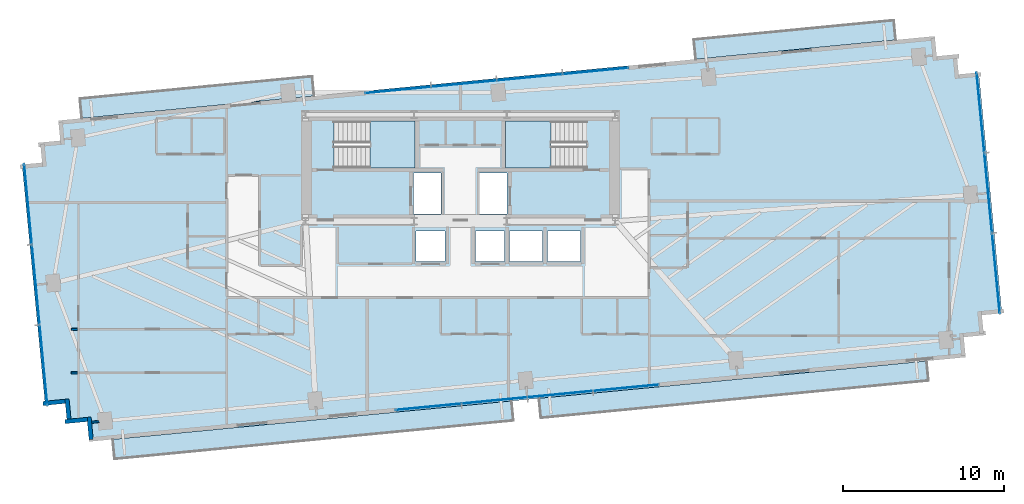
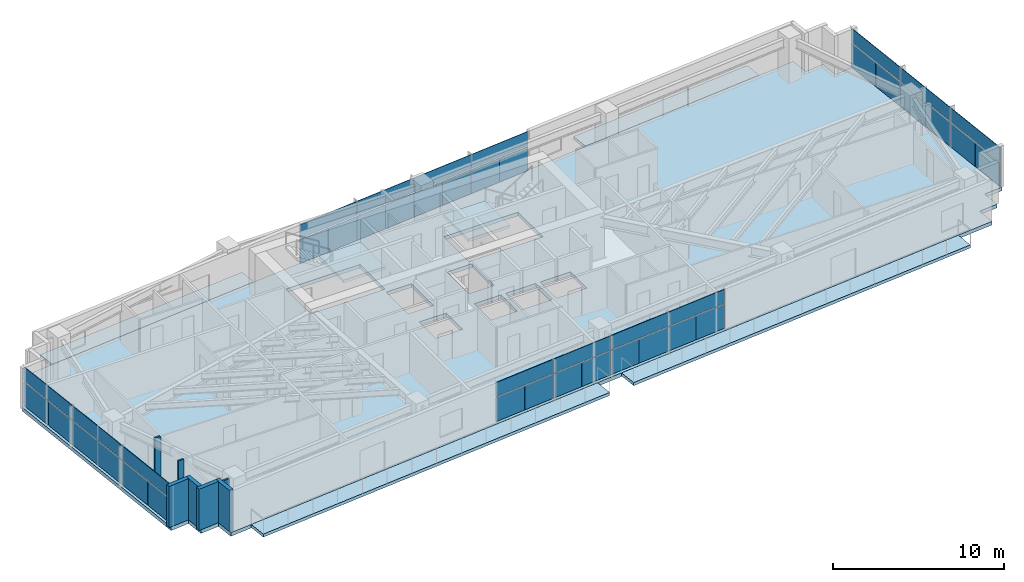
# One storey, part 20 of 27: 42 plates, 7 slabs, 7 walls, 6 elements without a shape of their own.
"""IFC4 building model written with IfcOpenShell, lengths in metres."""

from ifc_helpers import new_model, si_unit, direction, frame, frame_2d, origin, origin_2d, place, context, subcontext, project, spatial, polyline, rectangle, outline, extrude, source, transform, mapped, material, layer, layer_set, type_object, type_shapes, element, aggregate, save


model = new_model("IFC4")

# Units and contexts
model_context = context("Model", 3, precision=1e-05, world=origin(), true_north=direction((0.0, 1.0)))
body_context = subcontext(model_context, "Body", "Model", "MODEL_VIEW")
ifc_project = project(units=[si_unit("LENGTHUNIT", "METRE"), si_unit("AREAUNIT", "SQUARE_METRE"), si_unit("VOLUMEUNIT", "CUBIC_METRE"), si_unit("PLANEANGLEUNIT", "RADIAN"), si_unit("MASSUNIT", "GRAM", prefix="KILO")], contexts=[model_context])

# Site, building, storey
site_placement = place(None, origin())
site = spatial("IfcSite", under=ifc_project, at=site_placement, CompositionType="ELEMENT")
building_placement = place(site_placement, origin())
building = spatial("IfcBuilding", under=site, at=building_placement, Name="Astriad Promenade Condominiums", CompositionType="ELEMENT")
storey_placement = place(building_placement, frame((0.0, 0.0, 109.800048828125)))
storey = spatial("IfcBuildingStorey", under=building, at=storey_placement, Name="L31", CompositionType="ELEMENT", Elevation=109.800048828125)

# Slab
ifc_material_1 = material(Name="Concrete C50/60", Category="concrete")
ifc_layer_1 = layer(ifc_material_1, 0.260009765625)
ifc_layer_set_1 = layer_set([ifc_layer_1], Name="Concrete C50/60")
slab_type_1 = type_object("IfcSlabType", Name="CONCRETE TOWER FLOOR SLAB 260", PredefinedType="FLOOR", material=ifc_layer_set_1)
slab_1_placement = place(storey_placement, frame((0.0, 0.0, -0.260009765625)))
element("IfcSlab", 1, at=slab_1_placement, inside=storey, type_object=slab_type_1, Name="Structural Floor Slab (L31)", PredefinedType="FLOOR", context=body_context, shape_type="SweptSolid", body=[
    extrude(outline(polyline([(12.984130859375, 3.7294921875), (67.332763671875, 8.962646484375), (67.212890625, 10.206787109375), (68.457275390625, 10.32666015625), (68.33740234375, 11.57080078125), (69.58154296875, 11.690673828125), (68.14404296875, 26.62158203125), (66.899658203125, 26.501953125), (66.77978515625, 27.74609375), (65.53564453125, 27.626220703125), (65.416015625, 28.87060546875), (11.067138671875, 23.637451171875), (11.18701171875, 22.39306640625), (9.94287109375, 22.273193359375), (10.0625, 21.029052734375), (8.818359375, 20.9091796875), (10.256103515625, 5.978271484375), (11.500244140625, 6.09814453125), (11.6201171875, 4.85400390625), (12.8642578125, 4.9736328125), (12.984130859375, 3.7294921875)]), holes=[polyline([(28.175048828125, 20.699951171875), (33.175048828125, 20.699951171875), (33.175048828125, 23.60009765625), (28.175048828125, 23.60009765625), (28.175048828125, 20.699951171875)]), polyline([(38.824951171875, 20.699951171875), (43.824951171875, 20.699951171875), (43.824951171875, 23.60009765625), (38.824951171875, 23.60009765625), (38.824951171875, 20.699951171875)]), polyline([(33.10009765625, 17.85009765625), (34.800048828125, 17.85009765625), (34.800048828125, 20.39990234375), (33.10009765625, 20.39990234375), (33.10009765625, 17.85009765625)]), polyline([(37.199951171875, 17.85009765625), (38.89990234375, 17.85009765625), (38.89990234375, 20.39990234375), (37.199951171875, 20.39990234375), (37.199951171875, 17.85009765625)]), polyline([(33.25, 14.89990234375), (35.050048828125, 14.89990234375), (35.050048828125, 16.800048828125), (33.25, 16.800048828125), (33.25, 14.89990234375)]), polyline([(36.949951171875, 14.89990234375), (38.75, 14.89990234375), (38.75, 16.800048828125), (36.949951171875, 16.800048828125), (36.949951171875, 14.89990234375)]), polyline([(39.050048828125, 14.89990234375), (41.10009765625, 14.89990234375), (41.10009765625, 16.800048828125), (39.050048828125, 16.800048828125), (39.050048828125, 14.89990234375)]), polyline([(41.39990234375, 14.89990234375), (43.449951171875, 14.89990234375), (43.449951171875, 16.800048828125), (41.39990234375, 16.800048828125), (41.39990234375, 14.89990234375)])]), origin(), (0.0, 0.0, 1.0), 0.260009765625),
])

# Stair, slab
stair_type = type_object("IfcStairType", Name="STR-CORE-1350", PredefinedType="HALF_TURN_STAIR", material=ifc_material_1)
stair_1_placement = place(storey_placement, origin())
stair_1 = element("IfcStair", 2, at=stair_1_placement, inside=storey, type_object=stair_type, Name="L31 Enclosed Core Exit Stair ST-1", PredefinedType="HALF_TURN_STAIR")
ifc_layer_2 = layer(ifc_material_1, 0.219970703125)
ifc_layer_set_2 = layer_set([ifc_layer_2], Name="Concrete C50/60")
slab_type_2 = type_object("IfcSlabType", Name="SLB-LANDING-220", PredefinedType="LANDING", material=ifc_layer_set_2)
slab_2_placement = place(storey_placement, frame((0.0, 0.0, 1.39990234375)))
slab_2 = element("IfcSlab", 3, at=slab_2_placement, type_object=slab_type_2, Name="ST-1 landing 1", PredefinedType="LANDING", context=body_context, shape_type="SweptSolid", body=[
    extrude(outline(polyline([(30.389892578125, 20.699951171875), (33.199951171875, 20.699951171875), (33.199951171875, 23.60009765625), (30.389892578125, 23.60009765625), (30.389892578125, 20.699951171875)])), origin(), (0.0, 0.0, 1.0), 0.199951171875),
])
aggregate(stair_1, [slab_2])

stair_2_placement = place(storey_placement, origin())
stair_2 = element("IfcStair", 4, at=stair_2_placement, inside=storey, type_object=stair_type, Name="L31 Enclosed Core Exit Stair ST-2", PredefinedType="HALF_TURN_STAIR")
slab_3_placement = place(storey_placement, frame((0.0, 0.0, 1.39990234375)))
slab_3 = element("IfcSlab", 5, at=slab_3_placement, type_object=slab_type_2, Name="ST-2 landing 1", PredefinedType="LANDING", context=body_context, shape_type="SweptSolid", body=[
    extrude(outline(polyline([(41.610107421875, 23.60009765625), (38.800048828125, 23.60009765625), (38.800048828125, 20.699951171875), (41.610107421875, 20.699951171875), (41.610107421875, 23.60009765625)])), origin(), (0.0, 0.0, 1.0), 0.199951171875),
])
aggregate(stair_2, [slab_3])

# Slabs
ifc_material_2 = material(Name="Precast concrete C50/60", Category="concrete")
ifc_layer_3 = layer(ifc_material_2, 0.219970703125)
ifc_layer_set_3 = layer_set([ifc_layer_3], Name="Precast concrete C50/60")
slab_type_3 = type_object("IfcSlabType", Name="WHITE PRECAST CONCRETE WAVE BALCONY SLAB 220", PredefinedType="FLOOR", material=ifc_layer_set_3)
slab_4_placement = place(storey_placement, frame((0.0, 0.0, -0.219970703125)))
element("IfcSlab", 6, at=slab_4_placement, inside=storey, type_object=slab_type_3, Name="White Precast Wave Balcony Slab BAL-L31-SW", PredefinedType="FLOOR", context=body_context, shape_type="SweptSolid", body=[
    extrude(outline(polyline([(39.285888671875, 5.036376953125), (14.558349609375, 2.655517578125), (14.441650390625, 3.86767578125), (39.169189453125, 6.248779296875), (39.285888671875, 5.036376953125)])), origin(), (0.0, 0.0, 1.0), 0.219970703125),
])
slab_5_placement = place(storey_placement, frame((0.0, 0.0, -0.219970703125)))
element("IfcSlab", 7, at=slab_5_placement, inside=storey, type_object=slab_type_3, Name="White Precast Wave Balcony Slab BAL-L31-SE", PredefinedType="FLOOR", context=body_context, shape_type="SweptSolid", body=[
    extrude(outline(polyline([(65.02685546875, 7.514892578125), (40.994140625, 5.200927734375), (40.877197265625, 6.4130859375), (64.91015625, 8.727294921875), (65.02685546875, 7.514892578125)])), origin(), (0.0, 0.0, 1.0), 0.219970703125),
])
slab_6_placement = place(storey_placement, frame((0.0, 0.0, -0.219970703125)))
element("IfcSlab", 8, at=slab_6_placement, inside=storey, type_object=slab_type_3, Name="White Precast Wave Balcony Slab BAL-L31-NW", PredefinedType="FLOOR", context=body_context, shape_type="SweptSolid", body=[
    extrude(outline(polyline([(12.40771484375, 24.9921875), (26.806884765625, 26.378662109375), (26.923583984375, 25.166259765625), (12.5244140625, 23.77978515625), (12.40771484375, 24.9921875)])), origin(), (0.0, 0.0, 1.0), 0.219970703125),
])
slab_7_placement = place(storey_placement, frame((0.0, 0.0, -0.219970703125)))
element("IfcSlab", 9, at=slab_7_placement, inside=storey, type_object=slab_type_3, Name="White Precast Wave Balcony Slab BAL-L31-NE", PredefinedType="FLOOR", context=body_context, shape_type="SweptSolid", body=[
    extrude(outline(polyline([(50.4775390625, 28.65771484375), (62.876220703125, 29.8515625), (62.992919921875, 28.639404296875), (50.59423828125, 27.4453125), (50.4775390625, 28.65771484375)])), origin(), (0.0, 0.0, 1.0), 0.219970703125),
])

# Curtain wall, plates
ifc_material_3 = material(Name="Anodised aluminium Black Dark Glass Unitised", Category="aluminium")
curtain_wall_type = type_object("IfcCurtainWallType", Name="CW-B2-DARK", PredefinedType="USERDEFINED", material=ifc_material_3)
curtain_wall_1_placement = place(storey_placement, origin())
curtain_wall_1 = element("IfcCurtainWall", 10, at=curtain_wall_1_placement, inside=storey, type_object=curtain_wall_type, Name="CW-L31-W", ObjectType="UNITISED_CURTAIN_WALL", PredefinedType="USERDEFINED")
ifc_material_4 = material(Name="Dark Tinted Low-E Laminated Glass", Category="glass")
ifc_layer_4 = layer(ifc_material_4, 0.035888671875)
ifc_layer_set_4 = layer_set([ifc_layer_4], Name="Dark Tinted Low-E Laminated Glass")
plate_type = type_object("IfcPlateType", Name="PNL-DARK-GLASS-36", PredefinedType="CURTAIN_PANEL", material=ifc_layer_set_4)
shared_shape_1 = source(origin(), body_context, "Body", "SweptSolid", [
    extrude(rectangle(XDim=2.488037109375, YDim=0.035888671875, at=origin_2d()), origin(), (0.0, 0.0, 1.0), 1.702880859375),
])
plate_1_placement = place(storey_placement, frame((10.265625, 7.235107421875, 0.080078125), z_axis=(0.0, 0.0, 1.0), x_axis=(-0.09584575252, 0.995396198367, 0.0)))
plate_1 = element("IfcPlate", 11, at=plate_1_placement, type_object=plate_type, Name="CW-L31-W-PNL-00-VL", PredefinedType="CURTAIN_PANEL", context=body_context, shape_type="MappedRepresentation", body=[
    mapped(shared_shape_1, transform((0.0, 0.0, 0.0), scale=1.0)),
])
plate_2_placement = place(storey_placement, frame((10.02587890625, 9.723388671875, 0.080078125), z_axis=(0.0, 0.0, 1.0), x_axis=(-0.09584575252, 0.995396198367, 0.0)))
plate_2 = element("IfcPlate", 12, at=plate_2_placement, type_object=plate_type, Name="CW-L31-W-PNL-00-VR", PredefinedType="CURTAIN_PANEL", context=body_context, shape_type="MappedRepresentation", body=[
    mapped(shared_shape_1, transform((0.0, 0.0, 0.0), scale=1.0)),
])
plate_3_placement = place(storey_placement, frame((9.786376953125, 12.212158203125, 0.080078125), z_axis=(0.0, 0.0, 1.0), x_axis=(-0.09584575252, 0.995396198367, 0.0)))
plate_3 = element("IfcPlate", 13, at=plate_3_placement, type_object=plate_type, Name="CW-L31-W-PNL-01-VL", PredefinedType="CURTAIN_PANEL", context=body_context, shape_type="MappedRepresentation", body=[
    mapped(shared_shape_1, transform((0.0, 0.0, 0.0), scale=1.0)),
])
plate_4_placement = place(storey_placement, frame((9.546875, 14.700439453125, 0.080078125), z_axis=(0.0, 0.0, 1.0), x_axis=(-0.09584575252, 0.995396198367, 0.0)))
plate_4 = element("IfcPlate", 14, at=plate_4_placement, type_object=plate_type, Name="CW-L31-W-PNL-01-VR", PredefinedType="CURTAIN_PANEL", context=body_context, shape_type="MappedRepresentation", body=[
    mapped(shared_shape_1, transform((0.0, 0.0, 0.0), scale=1.0)),
])
plate_5_placement = place(storey_placement, frame((9.30712890625, 17.189208984375, 0.080078125), z_axis=(0.0, 0.0, 1.0), x_axis=(-0.09584575252, 0.995396198367, 0.0)))
plate_5 = element("IfcPlate", 15, at=plate_5_placement, type_object=plate_type, Name="CW-L31-W-PNL-02-VL", PredefinedType="CURTAIN_PANEL", context=body_context, shape_type="MappedRepresentation", body=[
    mapped(shared_shape_1, transform((0.0, 0.0, 0.0), scale=1.0)),
])
plate_6_placement = place(storey_placement, frame((9.067626953125, 19.677490234375, 0.080078125), z_axis=(0.0, 0.0, 1.0), x_axis=(-0.09584575252, 0.995396198367, 0.0)))
plate_6 = element("IfcPlate", 16, at=plate_6_placement, type_object=plate_type, Name="CW-L31-W-PNL-02-VR", PredefinedType="CURTAIN_PANEL", context=body_context, shape_type="MappedRepresentation", body=[
    mapped(shared_shape_1, transform((0.0, 0.0, 0.0), scale=1.0)),
])

curtain_wall_2_placement = place(storey_placement, origin())
curtain_wall_2 = element("IfcCurtainWall", 17, at=curtain_wall_2_placement, inside=storey, type_object=curtain_wall_type, Name="CW-L31-E", ObjectType="UNITISED_CURTAIN_WALL", PredefinedType="USERDEFINED")
plate_7_placement = place(storey_placement, frame((68.134521484375, 25.364990234375, 0.080078125), z_axis=(0.0, 0.0, 1.0), x_axis=(0.09584575252, -0.995396198367, 0.0)))
plate_7 = element("IfcPlate", 18, at=plate_7_placement, type_object=plate_type, Name="CW-L31-E-PNL-00-VL", PredefinedType="CURTAIN_PANEL", context=body_context, shape_type="MappedRepresentation", body=[
    mapped(shared_shape_1, transform((0.0, 0.0, 0.0), scale=1.0)),
])
plate_8_placement = place(storey_placement, frame((68.3740234375, 22.87646484375, 0.080078125), z_axis=(0.0, 0.0, 1.0), x_axis=(0.09584575252, -0.995396198367, 0.0)))
plate_8 = element("IfcPlate", 19, at=plate_8_placement, type_object=plate_type, Name="CW-L31-E-PNL-00-VR", PredefinedType="CURTAIN_PANEL", context=body_context, shape_type="MappedRepresentation", body=[
    mapped(shared_shape_1, transform((0.0, 0.0, 0.0), scale=1.0)),
])
plate_9_placement = place(storey_placement, frame((68.613525390625, 20.387939453125, 0.080078125), z_axis=(0.0, 0.0, 1.0), x_axis=(0.09584575252, -0.995396198367, 0.0)))
plate_9 = element("IfcPlate", 20, at=plate_9_placement, type_object=plate_type, Name="CW-L31-E-PNL-01-VL", PredefinedType="CURTAIN_PANEL", context=body_context, shape_type="MappedRepresentation", body=[
    mapped(shared_shape_1, transform((0.0, 0.0, 0.0), scale=1.0)),
])
plate_10_placement = place(storey_placement, frame((68.853271484375, 17.8994140625, 0.080078125), z_axis=(0.0, 0.0, 1.0), x_axis=(0.09584575252, -0.995396198367, 0.0)))
plate_10 = element("IfcPlate", 21, at=plate_10_placement, type_object=plate_type, Name="CW-L31-E-PNL-01-VR", PredefinedType="CURTAIN_PANEL", context=body_context, shape_type="MappedRepresentation", body=[
    mapped(shared_shape_1, transform((0.0, 0.0, 0.0), scale=1.0)),
])
plate_11_placement = place(storey_placement, frame((69.0927734375, 15.410888671875, 0.080078125), z_axis=(0.0, 0.0, 1.0), x_axis=(0.09584575252, -0.995396198367, 0.0)))
plate_11 = element("IfcPlate", 22, at=plate_11_placement, type_object=plate_type, Name="CW-L31-E-PNL-02-VL", PredefinedType="CURTAIN_PANEL", context=body_context, shape_type="MappedRepresentation", body=[
    mapped(shared_shape_1, transform((0.0, 0.0, 0.0), scale=1.0)),
])
plate_12_placement = place(storey_placement, frame((69.33251953125, 12.922607421875, 0.080078125), z_axis=(0.0, 0.0, 1.0), x_axis=(0.09584575252, -0.995396198367, 0.0)))
plate_12 = element("IfcPlate", 23, at=plate_12_placement, type_object=plate_type, Name="CW-L31-E-PNL-02-VR", PredefinedType="CURTAIN_PANEL", context=body_context, shape_type="MappedRepresentation", body=[
    mapped(shared_shape_1, transform((0.0, 0.0, 0.0), scale=1.0)),
])

# Plate
shared_shape_2 = source(origin(), body_context, "Body", "SweptSolid", [
    extrude(rectangle(XDim=4.988037109375, YDim=0.035888671875, at=origin_2d()), origin(), (0.0, 0.0, 1.0), 0.997314453125),
])
plate_13_placement = place(storey_placement, frame((10.145751953125, 8.479248046875, 1.86279296875), z_axis=(0.0, 0.0, 1.0), x_axis=(-0.09584575252, 0.995396198367, 0.0)))
plate_13 = element("IfcPlate", 24, at=plate_13_placement, type_object=plate_type, Name="CW-L31-W-PNL-00-S", PredefinedType="CURTAIN_PANEL", context=body_context, shape_type="MappedRepresentation", body=[
    mapped(shared_shape_2, transform((0.0, 0.0, 0.0), scale=1.0)),
])

plate_14_placement = place(storey_placement, frame((9.66650390625, 13.456298828125, 1.86279296875), z_axis=(0.0, 0.0, 1.0), x_axis=(-0.09584575252, 0.995396198367, 0.0)))
plate_14 = element("IfcPlate", 25, at=plate_14_placement, type_object=plate_type, Name="CW-L31-W-PNL-01-S", PredefinedType="CURTAIN_PANEL", context=body_context, shape_type="MappedRepresentation", body=[
    mapped(shared_shape_2, transform((0.0, 0.0, 0.0), scale=1.0)),
])

plate_15_placement = place(storey_placement, frame((9.1875, 18.433349609375, 1.86279296875), z_axis=(0.0, 0.0, 1.0), x_axis=(-0.09584575252, 0.995396198367, 0.0)))
plate_15 = element("IfcPlate", 26, at=plate_15_placement, type_object=plate_type, Name="CW-L31-W-PNL-02-S", PredefinedType="CURTAIN_PANEL", context=body_context, shape_type="MappedRepresentation", body=[
    mapped(shared_shape_2, transform((0.0, 0.0, 0.0), scale=1.0)),
])

aggregate(curtain_wall_1, [plate_1, plate_2, plate_13, plate_3, plate_4, plate_14, plate_5, plate_6, plate_15])

plate_16_placement = place(storey_placement, frame((68.254150390625, 24.12060546875, 1.86279296875), z_axis=(0.0, 0.0, 1.0), x_axis=(0.09584575252, -0.995396198367, 0.0)))
plate_16 = element("IfcPlate", 27, at=plate_16_placement, type_object=plate_type, Name="CW-L31-E-PNL-00-S", PredefinedType="CURTAIN_PANEL", context=body_context, shape_type="MappedRepresentation", body=[
    mapped(shared_shape_2, transform((0.0, 0.0, 0.0), scale=1.0)),
])

plate_17_placement = place(storey_placement, frame((68.7333984375, 19.143798828125, 1.86279296875), z_axis=(0.0, 0.0, 1.0), x_axis=(0.09584575252, -0.995396198367, 0.0)))
plate_17 = element("IfcPlate", 28, at=plate_17_placement, type_object=plate_type, Name="CW-L31-E-PNL-01-S", PredefinedType="CURTAIN_PANEL", context=body_context, shape_type="MappedRepresentation", body=[
    mapped(shared_shape_2, transform((0.0, 0.0, 0.0), scale=1.0)),
])

plate_18_placement = place(storey_placement, frame((69.212646484375, 14.166748046875, 1.86279296875), z_axis=(0.0, 0.0, 1.0), x_axis=(0.09584575252, -0.995396198367, 0.0)))
plate_18 = element("IfcPlate", 29, at=plate_18_placement, type_object=plate_type, Name="CW-L31-E-PNL-02-S", PredefinedType="CURTAIN_PANEL", context=body_context, shape_type="MappedRepresentation", body=[
    mapped(shared_shape_2, transform((0.0, 0.0, 0.0), scale=1.0)),
])

aggregate(curtain_wall_2, [plate_7, plate_8, plate_16, plate_9, plate_10, plate_17, plate_11, plate_12, plate_18])

# Curtain wall, plates
curtain_wall_3_placement = place(storey_placement, origin())
curtain_wall_3 = element("IfcCurtainWall", 30, at=curtain_wall_3_placement, inside=storey, type_object=curtain_wall_type, Name="CW-L31-N", ObjectType="UNITISED_CURTAIN_WALL", PredefinedType="USERDEFINED")
shared_shape_3 = source(origin(), body_context, "Body", "SweptSolid", [
    extrude(rectangle(XDim=2.035400390625, YDim=0.035888671875, at=origin_2d()), origin(), (0.0, 0.0, 1.0), 1.702880859375),
])
plate_19_placement = place(storey_placement, frame((31.12060546875, 25.437744140625, 0.080078125), z_axis=(0.0, 0.0, 1.0), x_axis=(0.995396198367, 0.09584575252, 0.0)))
plate_19 = element("IfcPlate", 31, at=plate_19_placement, type_object=plate_type, Name="CW-L31-N-PNL-00-VL", PredefinedType="CURTAIN_PANEL", context=body_context, shape_type="MappedRepresentation", body=[
    mapped(shared_shape_3, transform((0.0, 0.0, 0.0), scale=1.0)),
])
plate_20_placement = place(storey_placement, frame((33.15869140625, 25.634033203125, 0.080078125), z_axis=(0.0, 0.0, 1.0), x_axis=(0.995396198367, 0.09584575252, 0.0)))
plate_20 = element("IfcPlate", 32, at=plate_20_placement, type_object=plate_type, Name="CW-L31-N-PNL-00-VR", PredefinedType="CURTAIN_PANEL", context=body_context, shape_type="MappedRepresentation", body=[
    mapped(shared_shape_3, transform((0.0, 0.0, 0.0), scale=1.0)),
])
plate_21_placement = place(storey_placement, frame((35.19677734375, 25.830078125, 0.080078125), z_axis=(0.0, 0.0, 1.0), x_axis=(0.995396198367, 0.09584575252, 0.0)))
plate_21 = element("IfcPlate", 33, at=plate_21_placement, type_object=plate_type, Name="CW-L31-N-PNL-01-VL", PredefinedType="CURTAIN_PANEL", context=body_context, shape_type="MappedRepresentation", body=[
    mapped(shared_shape_3, transform((0.0, 0.0, 0.0), scale=1.0)),
])
plate_22_placement = place(storey_placement, frame((37.23486328125, 26.026611328125, 0.080078125), z_axis=(0.0, 0.0, 1.0), x_axis=(0.995396198367, 0.09584575252, 0.0)))
plate_22 = element("IfcPlate", 34, at=plate_22_placement, type_object=plate_type, Name="CW-L31-N-PNL-01-VR", PredefinedType="CURTAIN_PANEL", context=body_context, shape_type="MappedRepresentation", body=[
    mapped(shared_shape_3, transform((0.0, 0.0, 0.0), scale=1.0)),
])
plate_23_placement = place(storey_placement, frame((39.27294921875, 26.22265625, 0.080078125), z_axis=(0.0, 0.0, 1.0), x_axis=(0.995396198367, 0.09584575252, 0.0)))
plate_23 = element("IfcPlate", 35, at=plate_23_placement, type_object=plate_type, Name="CW-L31-N-PNL-02-VL", PredefinedType="CURTAIN_PANEL", context=body_context, shape_type="MappedRepresentation", body=[
    mapped(shared_shape_3, transform((0.0, 0.0, 0.0), scale=1.0)),
])
plate_24_placement = place(storey_placement, frame((41.31103515625, 26.4189453125, 0.080078125), z_axis=(0.0, 0.0, 1.0), x_axis=(0.995396198367, 0.09584575252, 0.0)))
plate_24 = element("IfcPlate", 36, at=plate_24_placement, type_object=plate_type, Name="CW-L31-N-PNL-02-VR", PredefinedType="CURTAIN_PANEL", context=body_context, shape_type="MappedRepresentation", body=[
    mapped(shared_shape_3, transform((0.0, 0.0, 0.0), scale=1.0)),
])
plate_25_placement = place(storey_placement, frame((43.34912109375, 26.615234375, 0.080078125), z_axis=(0.0, 0.0, 1.0), x_axis=(0.995396198367, 0.09584575252, 0.0)))
plate_25 = element("IfcPlate", 37, at=plate_25_placement, type_object=plate_type, Name="CW-L31-N-PNL-03-VL", PredefinedType="CURTAIN_PANEL", context=body_context, shape_type="MappedRepresentation", body=[
    mapped(shared_shape_3, transform((0.0, 0.0, 0.0), scale=1.0)),
])
plate_26_placement = place(storey_placement, frame((45.38720703125, 26.8115234375, 0.080078125), z_axis=(0.0, 0.0, 1.0), x_axis=(0.995396198367, 0.09584575252, 0.0)))
plate_26 = element("IfcPlate", 38, at=plate_26_placement, type_object=plate_type, Name="CW-L31-N-PNL-03-VR", PredefinedType="CURTAIN_PANEL", context=body_context, shape_type="MappedRepresentation", body=[
    mapped(shared_shape_3, transform((0.0, 0.0, 0.0), scale=1.0)),
])

curtain_wall_4_placement = place(storey_placement, origin())
curtain_wall_4 = element("IfcCurtainWall", 39, at=curtain_wall_4_placement, inside=storey, type_object=curtain_wall_type, Name="CW-L31-S", ObjectType="UNITISED_CURTAIN_WALL", PredefinedType="USERDEFINED")
plate_27_placement = place(storey_placement, frame((47.279296875, 7.162353515625, 0.080078125), z_axis=(0.0, 0.0, 1.0), x_axis=(-0.995396198367, -0.09584575252, 0.0)))
plate_27 = element("IfcPlate", 40, at=plate_27_placement, type_object=plate_type, Name="CW-L31-S-PNL-00-VL", PredefinedType="CURTAIN_PANEL", context=body_context, shape_type="MappedRepresentation", body=[
    mapped(shared_shape_3, transform((0.0, 0.0, 0.0), scale=1.0)),
])
plate_28_placement = place(storey_placement, frame((45.2412109375, 6.966064453125, 0.080078125), z_axis=(0.0, 0.0, 1.0), x_axis=(-0.995396198367, -0.09584575252, 0.0)))
plate_28 = element("IfcPlate", 41, at=plate_28_placement, type_object=plate_type, Name="CW-L31-S-PNL-00-VR", PredefinedType="CURTAIN_PANEL", context=body_context, shape_type="MappedRepresentation", body=[
    mapped(shared_shape_3, transform((0.0, 0.0, 0.0), scale=1.0)),
])
plate_29_placement = place(storey_placement, frame((43.203125, 6.769775390625, 0.080078125), z_axis=(0.0, 0.0, 1.0), x_axis=(-0.995396198367, -0.09584575252, 0.0)))
plate_29 = element("IfcPlate", 42, at=plate_29_placement, type_object=plate_type, Name="CW-L31-S-PNL-01-VL", PredefinedType="CURTAIN_PANEL", context=body_context, shape_type="MappedRepresentation", body=[
    mapped(shared_shape_3, transform((0.0, 0.0, 0.0), scale=1.0)),
])
plate_30_placement = place(storey_placement, frame((41.1650390625, 6.573486328125, 0.080078125), z_axis=(0.0, 0.0, 1.0), x_axis=(-0.995396198367, -0.09584575252, 0.0)))
plate_30 = element("IfcPlate", 43, at=plate_30_placement, type_object=plate_type, Name="CW-L31-S-PNL-01-VR", PredefinedType="CURTAIN_PANEL", context=body_context, shape_type="MappedRepresentation", body=[
    mapped(shared_shape_3, transform((0.0, 0.0, 0.0), scale=1.0)),
])
plate_31_placement = place(storey_placement, frame((39.126953125, 6.377197265625, 0.080078125), z_axis=(0.0, 0.0, 1.0), x_axis=(-0.995396198367, -0.09584575252, 0.0)))
plate_31 = element("IfcPlate", 44, at=plate_31_placement, type_object=plate_type, Name="CW-L31-S-PNL-02-VL", PredefinedType="CURTAIN_PANEL", context=body_context, shape_type="MappedRepresentation", body=[
    mapped(shared_shape_3, transform((0.0, 0.0, 0.0), scale=1.0)),
])
plate_32_placement = place(storey_placement, frame((37.0888671875, 6.180908203125, 0.080078125), z_axis=(0.0, 0.0, 1.0), x_axis=(-0.995396198367, -0.09584575252, 0.0)))
plate_32 = element("IfcPlate", 45, at=plate_32_placement, type_object=plate_type, Name="CW-L31-S-PNL-02-VR", PredefinedType="CURTAIN_PANEL", context=body_context, shape_type="MappedRepresentation", body=[
    mapped(shared_shape_3, transform((0.0, 0.0, 0.0), scale=1.0)),
])
plate_33_placement = place(storey_placement, frame((35.05078125, 5.98486328125, 0.080078125), z_axis=(0.0, 0.0, 1.0), x_axis=(-0.995396198367, -0.09584575252, 0.0)))
plate_33 = element("IfcPlate", 46, at=plate_33_placement, type_object=plate_type, Name="CW-L31-S-PNL-03-VL", PredefinedType="CURTAIN_PANEL", context=body_context, shape_type="MappedRepresentation", body=[
    mapped(shared_shape_3, transform((0.0, 0.0, 0.0), scale=1.0)),
])
plate_34_placement = place(storey_placement, frame((33.0126953125, 5.78857421875, 0.080078125), z_axis=(0.0, 0.0, 1.0), x_axis=(-0.995396198367, -0.09584575252, 0.0)))
plate_34 = element("IfcPlate", 47, at=plate_34_placement, type_object=plate_type, Name="CW-L31-S-PNL-03-VR", PredefinedType="CURTAIN_PANEL", context=body_context, shape_type="MappedRepresentation", body=[
    mapped(shared_shape_3, transform((0.0, 0.0, 0.0), scale=1.0)),
])

# Plate
shared_shape_4 = source(origin(), body_context, "Body", "SweptSolid", [
    extrude(rectangle(XDim=4.0830078125, YDim=0.035888671875, at=origin_2d()), origin(), (0.0, 0.0, 1.0), 0.997314453125),
])
type_shapes(plate_type, [shared_shape_1, shared_shape_2, shared_shape_3, shared_shape_4])
plate_35_placement = place(storey_placement, frame((32.1396484375, 25.535888671875, 1.86279296875), z_axis=(0.0, 0.0, 1.0), x_axis=(0.995396198367, 0.09584575252, 0.0)))
plate_35 = element("IfcPlate", 48, at=plate_35_placement, type_object=plate_type, Name="CW-L31-N-PNL-00-S", PredefinedType="CURTAIN_PANEL", context=body_context, shape_type="MappedRepresentation", body=[
    mapped(shared_shape_4, transform((0.0, 0.0, 0.0), scale=1.0)),
])

plate_36_placement = place(storey_placement, frame((36.2158203125, 25.928466796875, 1.86279296875), z_axis=(0.0, 0.0, 1.0), x_axis=(0.995396198367, 0.09584575252, 0.0)))
plate_36 = element("IfcPlate", 49, at=plate_36_placement, type_object=plate_type, Name="CW-L31-N-PNL-01-S", PredefinedType="CURTAIN_PANEL", context=body_context, shape_type="MappedRepresentation", body=[
    mapped(shared_shape_4, transform((0.0, 0.0, 0.0), scale=1.0)),
])

plate_37_placement = place(storey_placement, frame((40.2919921875, 26.32080078125, 1.86279296875), z_axis=(0.0, 0.0, 1.0), x_axis=(0.995396198367, 0.09584575252, 0.0)))
plate_37 = element("IfcPlate", 50, at=plate_37_placement, type_object=plate_type, Name="CW-L31-N-PNL-02-S", PredefinedType="CURTAIN_PANEL", context=body_context, shape_type="MappedRepresentation", body=[
    mapped(shared_shape_4, transform((0.0, 0.0, 0.0), scale=1.0)),
])

plate_38_placement = place(storey_placement, frame((44.368408203125, 26.71337890625, 1.86279296875), z_axis=(0.0, 0.0, 1.0), x_axis=(0.995396198367, 0.09584575252, 0.0)))
plate_38 = element("IfcPlate", 51, at=plate_38_placement, type_object=plate_type, Name="CW-L31-N-PNL-03-S", PredefinedType="CURTAIN_PANEL", context=body_context, shape_type="MappedRepresentation", body=[
    mapped(shared_shape_4, transform((0.0, 0.0, 0.0), scale=1.0)),
])

aggregate(curtain_wall_3, [plate_19, plate_20, plate_35, plate_21, plate_22, plate_36, plate_23, plate_24, plate_37, plate_25, plate_26, plate_38])

plate_39_placement = place(storey_placement, frame((46.26025390625, 7.064208984375, 1.86279296875), z_axis=(0.0, 0.0, 1.0), x_axis=(-0.995396198367, -0.09584575252, 0.0)))
plate_39 = element("IfcPlate", 52, at=plate_39_placement, type_object=plate_type, Name="CW-L31-S-PNL-00-S", PredefinedType="CURTAIN_PANEL", context=body_context, shape_type="MappedRepresentation", body=[
    mapped(shared_shape_4, transform((0.0, 0.0, 0.0), scale=1.0)),
])

plate_40_placement = place(storey_placement, frame((42.18408203125, 6.671630859375, 1.86279296875), z_axis=(0.0, 0.0, 1.0), x_axis=(-0.995396198367, -0.09584575252, 0.0)))
plate_40 = element("IfcPlate", 53, at=plate_40_placement, type_object=plate_type, Name="CW-L31-S-PNL-01-S", PredefinedType="CURTAIN_PANEL", context=body_context, shape_type="MappedRepresentation", body=[
    mapped(shared_shape_4, transform((0.0, 0.0, 0.0), scale=1.0)),
])

plate_41_placement = place(storey_placement, frame((38.10791015625, 6.279052734375, 1.86279296875), z_axis=(0.0, 0.0, 1.0), x_axis=(-0.995396198367, -0.09584575252, 0.0)))
plate_41 = element("IfcPlate", 54, at=plate_41_placement, type_object=plate_type, Name="CW-L31-S-PNL-02-S", PredefinedType="CURTAIN_PANEL", context=body_context, shape_type="MappedRepresentation", body=[
    mapped(shared_shape_4, transform((0.0, 0.0, 0.0), scale=1.0)),
])

plate_42_placement = place(storey_placement, frame((34.03173828125, 5.88671875, 1.86279296875), z_axis=(0.0, 0.0, 1.0), x_axis=(-0.995396198367, -0.09584575252, 0.0)))
plate_42 = element("IfcPlate", 55, at=plate_42_placement, type_object=plate_type, Name="CW-L31-S-PNL-03-S", PredefinedType="CURTAIN_PANEL", context=body_context, shape_type="MappedRepresentation", body=[
    mapped(shared_shape_4, transform((0.0, 0.0, 0.0), scale=1.0)),
])

aggregate(curtain_wall_4, [plate_27, plate_28, plate_39, plate_29, plate_30, plate_40, plate_31, plate_32, plate_41, plate_33, plate_34, plate_42])

# Walls
ifc_layer_5 = layer(ifc_material_2, 0.260009765625)
ifc_layer_set_5 = layer_set([ifc_layer_5], Name="Precast concrete C50/60")
wall_type_1 = type_object("IfcWallType", Name="WALL-EXT-TWR-260", PredefinedType="STANDARD", material=ifc_layer_set_5)
for number, where, z_axis, x_axis, name in (
    (56, (12.86669921875, 5.1044921875, 0.0), (0.0, 0.0, 1.0), (-0.995389446633, -0.095915846097, 0.0), "W-SER-L31-00"),
    (57, (11.738525390625, 4.98095703125, 0.0), (0.0, 0.0, 1.0), (-0.095915846097, 0.995389446633, 0.0), "W-SER-L31-01"),
):
    element("IfcWall", number, at=place(storey_placement, frame(where, z_axis=z_axis, x_axis=x_axis)), inside=storey, type_object=wall_type_1, Name=name, PredefinedType="STANDARD", context=body_context, shape_type="SweptSolid", body=[
        extrude(rectangle(XDim=1.394775390625, YDim=0.260009765625, at=frame_2d((0.697265625, 0.0))), origin(), (0.0, 0.0, 1.0), 2.93994140625),
    ])
for number, where, z_axis, x_axis, name in (
    (58, (11.502685546875, 6.22900390625, 0.0), (0.0, 0.0, 1.0), (-0.995391056452, -0.09589913835, 0.0), "W-SER-L31-02"),
    (59, (13.1025390625, 3.8564453125, 0.0), (0.0, 0.0, 1.0), (-0.09589913835, 0.995391056452, 0.0), "W-SER-L31-19"),
):
    element("IfcWall", number, at=place(storey_placement, frame(where, z_axis=z_axis, x_axis=x_axis)), inside=storey, type_object=wall_type_1, Name=name, PredefinedType="STANDARD", context=body_context, shape_type="SweptSolid", body=[
        extrude(rectangle(XDim=1.39501953125, YDim=0.260009765625, at=frame_2d((0.697509765625, 0.0))), origin(), (0.0, 0.0, 1.0), 2.93994140625),
    ])
ifc_material_5 = material(Name="Acoustic Metal-Stud Gypsum Partition")
ifc_layer_6 = layer(ifc_material_5, 0.1201171875)
ifc_layer_set_6 = layer_set([ifc_layer_6], Name="Acoustic Metal-Stud Gypsum Partition")
wall_type_2 = type_object("IfcWallType", Name="WALL-PART-120", PredefinedType="PARTITIONING", material=ifc_layer_set_6)
for number, where, z_axis, x_axis, name in (
    (60, (11.875, 7.9951171875, 0.0), (0.0, 0.0, 1.0), (1.0, 0.0, 0.0), "PT-L31-W1-WDS1"),
    (61, (11.875, 10.69189453125, 0.0), (0.0, 0.0, 1.0), (1.0, 0.0, 0.0), "PT-L31-W1-WDS2"),
):
    element("IfcWall", number, at=place(storey_placement, frame(where, z_axis=z_axis, x_axis=x_axis)), inside=storey, type_object=wall_type_2, Name=name, PredefinedType="PARTITIONING", context=body_context, shape_type="SweptSolid", body=[
        extrude(rectangle(XDim=0.3779296875, YDim=0.1201171875, at=frame_2d((0.18896484375, 0.0))), origin(), (0.0, 0.0, 1.0), 2.93994140625),
    ])
wall_placement = place(storey_placement, frame((13.587646484375, 4.972900390625, 0.0), z_axis=(0.0, 0.0, 1.0), x_axis=(-0.995435366701, -0.095438098896, 0.0)))
element("IfcWall", 62, at=wall_placement, inside=storey, type_object=wall_type_2, Name="PT-PIL-L31-PC01-8", PredefinedType="PARTITIONING", context=body_context, shape_type="SweptSolid", body=[
    extrude(rectangle(XDim=0.4580078125, YDim=0.1201171875, at=frame_2d((0.22900390625, 0.0))), origin(), (0.0, 0.0, 1.0), 2.93994140625),
])

save(model, "model.ifc")
